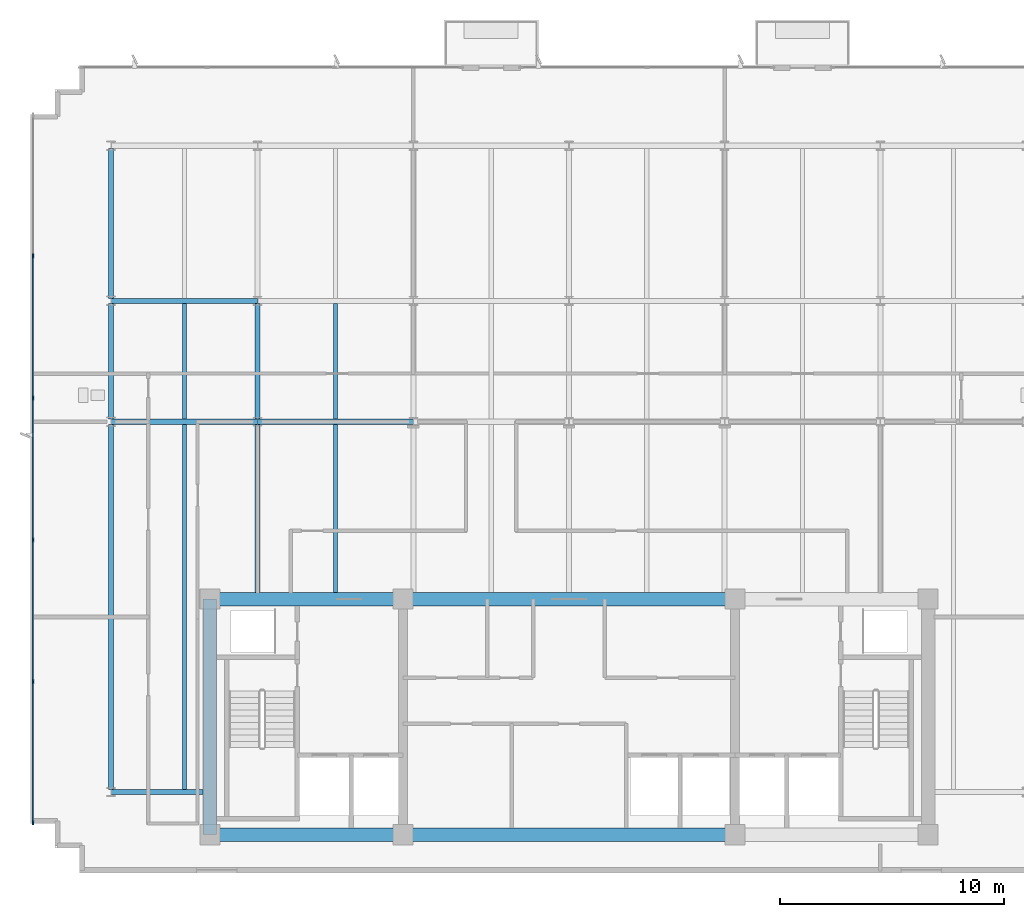
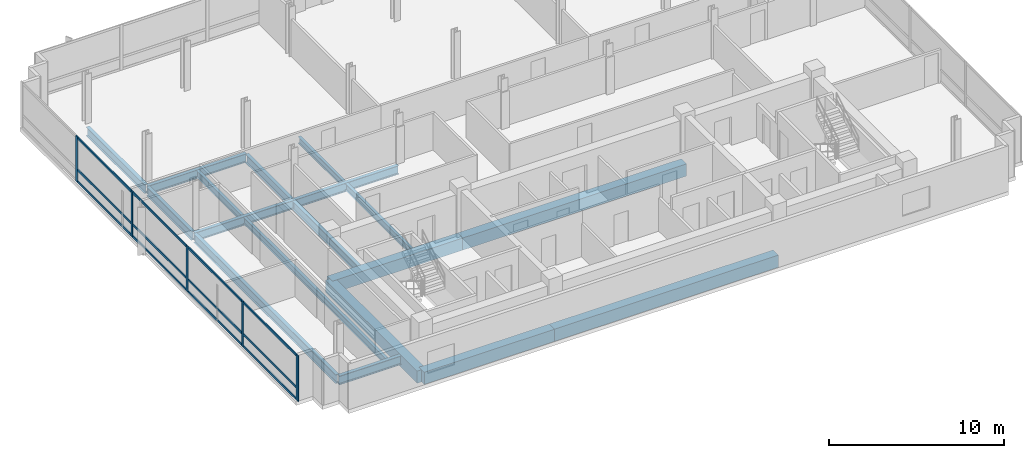
# One storey, part 2 of 13: 18 beams, 17 members, 1 element without a shape of its own.
"""IFC4 building model written with IfcOpenShell, lengths in metres."""

from ifc_helpers import new_model, si_unit, direction, frame, origin, origin_2d, place, context, subcontext, project, spatial, rectangle, i_section, extrude, material, material_profile, profile_set, type_object, element, aggregate, save


model = new_model("IFC4")

# Units and contexts
model_context = context("Model", 3, precision=1e-05, world=origin(), true_north=direction((0.0, 1.0)))
body_context = subcontext(model_context, "Body", "Model", "MODEL_VIEW")
ifc_project = project(units=[si_unit("LENGTHUNIT", "METRE"), si_unit("AREAUNIT", "SQUARE_METRE"), si_unit("VOLUMEUNIT", "CUBIC_METRE"), si_unit("PLANEANGLEUNIT", "RADIAN"), si_unit("MASSUNIT", "GRAM", prefix="KILO")], contexts=[model_context])

# Site, building, storey
site_placement = place(None, origin())
site = spatial("IfcSite", under=ifc_project, at=site_placement, CompositionType="ELEMENT")
building_placement = place(site_placement, origin())
building = spatial("IfcBuilding", under=site, at=building_placement, Name="Solmavex Isthmus Hotel", CompositionType="ELEMENT")
storey_placement = place(building_placement, frame((0.0, 0.0, 279.89990234375)))
storey = spatial("IfcBuildingStorey", under=building, at=storey_placement, Name="L76", CompositionType="ELEMENT", Elevation=279.89990234375)

# Beams
ifc_material_1 = material(Name="Steel ASTM A992 Grade 50", Category="steel")
ifc_material_profile_1 = material_profile(ifc_material_1, i_section(OverallWidth=0.1904296875, OverallDepth=0.456787109375, WebThickness=0.009033203125, FlangeThickness=0.014404296875, FilletRadius=0.0126953125, at=origin_2d()), Name="W18X50")
ifc_profile_set_1 = profile_set([ifc_material_profile_1], Name="Steel ASTM A992 Grade 50")
beam_type_1 = type_object("IfcBeamType", Name="BM-BJ-W18X50", PredefinedType="JOIST", material=ifc_profile_set_1)
beam_1_placement = place(storey_placement, frame((-17.135986328125, -10.98486328125, -0.48828125), z_axis=(0.0, 1.0, 0.0), x_axis=(-1.0, 0.0, 0.0)))
element("IfcBeam", 1, at=beam_1_placement, inside=storey, type_object=beam_type_1, Name="Secondary Floor Joist L76-J01", PredefinedType="JOIST", context=body_context, shape_type="SweptSolid", body=[
    extrude(i_section(OverallWidth=0.1904296875, OverallDepth=0.456787109375, WebThickness=0.009033203125, FlangeThickness=0.014404296875, FilletRadius=0.0126953125, at=origin_2d()), origin(), (0.0, 0.0, 1.0), 16.27099609375),
])
beam_2_placement = place(storey_placement, frame((-17.135986328125, 5.513916015625, -0.48828125), z_axis=(0.0, 1.0, 0.0), x_axis=(-1.0, 0.0, 0.0)))
element("IfcBeam", 2, at=beam_2_placement, inside=storey, type_object=beam_type_1, Name="Secondary Floor Joist L76-J02", PredefinedType="JOIST", context=body_context, shape_type="SweptSolid", body=[
    extrude(i_section(OverallWidth=0.1904296875, OverallDepth=0.456787109375, WebThickness=0.009033203125, FlangeThickness=0.014404296875, FilletRadius=0.0126953125, at=origin_2d()), origin(), (0.0, 0.0, 1.0), 5.16015625),
])
beam_3_placement = place(storey_placement, frame((-10.404052734375, -2.199951171875, -0.48828125), z_axis=(0.0, 1.0, 0.0), x_axis=(-1.0, 0.0, 0.0)))
element("IfcBeam", 3, at=beam_3_placement, inside=storey, type_object=beam_type_1, Name="Secondary Floor Joist L76-J04", PredefinedType="JOIST", context=body_context, shape_type="SweptSolid", body=[
    extrude(i_section(OverallWidth=0.1904296875, OverallDepth=0.456787109375, WebThickness=0.009033203125, FlangeThickness=0.014404296875, FilletRadius=0.0126953125, at=origin_2d()), origin(), (0.0, 0.0, 1.0), 7.486083984375),
])
beam_4_placement = place(storey_placement, frame((-10.404052734375, 5.513916015625, -0.48828125), z_axis=(0.0, 1.0, 0.0), x_axis=(-1.0, 0.0, 0.0)))
element("IfcBeam", 4, at=beam_4_placement, inside=storey, type_object=beam_type_1, Name="Secondary Floor Joist L76-J05", PredefinedType="JOIST", context=body_context, shape_type="SweptSolid", body=[
    extrude(i_section(OverallWidth=0.1904296875, OverallDepth=0.456787109375, WebThickness=0.009033203125, FlangeThickness=0.014404296875, FilletRadius=0.0126953125, at=origin_2d()), origin(), (0.0, 0.0, 1.0), 5.16015625),
])
ifc_material_profile_2 = material_profile(ifc_material_1, i_section(OverallWidth=0.227783203125, OverallDepth=0.602783203125, WebThickness=0.010498046875, FlangeThickness=0.014892578125, FilletRadius=0.01513671875, at=origin_2d()), Name="W24X68")
ifc_profile_set_2 = profile_set([ifc_material_profile_2], Name="Steel ASTM A992 Grade 50")
beam_type_2 = type_object("IfcBeamType", Name="BM-BM-W24X68", PredefinedType="BEAM", material=ifc_profile_set_2)
beam_5_placement = place(storey_placement, frame((-20.39990234375, 5.39990234375, -0.561279296875), z_axis=(1.0, 0.0, 0.0), x_axis=(0.0, 1.0, 0.0)))
element("IfcBeam", 5, at=beam_5_placement, inside=storey, type_object=beam_type_2, Name="Floor Girder L76-UG03", PredefinedType="BEAM", context=body_context, shape_type="SweptSolid", body=[
    extrude(i_section(OverallWidth=0.227783203125, OverallDepth=0.602783203125, WebThickness=0.010498046875, FlangeThickness=0.014892578125, FilletRadius=0.01513671875, at=origin_2d()), origin(), (0.0, 0.0, 1.0), 6.52783203125),
])
beam_6_placement = place(storey_placement, frame((-13.8720703125, 5.39990234375, -0.561279296875), z_axis=(1.0, 0.0, 0.0), x_axis=(0.0, 1.0, 0.0)))
element("IfcBeam", 6, at=beam_6_placement, inside=storey, type_object=beam_type_2, Name="Floor Girder L76-UG04", PredefinedType="BEAM", context=body_context, shape_type="SweptSolid", body=[
    extrude(i_section(OverallWidth=0.227783203125, OverallDepth=0.602783203125, WebThickness=0.010498046875, FlangeThickness=0.014892578125, FilletRadius=0.01513671875, at=origin_2d()), origin(), (0.0, 0.0, 1.0), 6.93603515625),
])
beam_7_placement = place(storey_placement, frame((-20.39990234375, 10.7880859375, -0.561279296875), z_axis=(1.0, 0.0, 0.0), x_axis=(0.0, 1.0, 0.0)))
element("IfcBeam", 7, at=beam_7_placement, inside=storey, type_object=beam_type_2, Name="Floor Girder L76-UG09", PredefinedType="BEAM", context=body_context, shape_type="SweptSolid", body=[
    extrude(i_section(OverallWidth=0.227783203125, OverallDepth=0.602783203125, WebThickness=0.010498046875, FlangeThickness=0.014892578125, FilletRadius=0.01513671875, at=origin_2d()), origin(), (0.0, 0.0, 1.0), 6.52783203125),
])
beam_8_placement = place(storey_placement, frame((-13.8720703125, -2.199951171875, -0.561279296875), z_axis=(0.0, 1.0, 0.0), x_axis=(-1.0, 0.0, 0.0)))
element("IfcBeam", 8, at=beam_8_placement, inside=storey, type_object=beam_type_2, Name="Floor Beam L76-VG24", PredefinedType="BEAM", context=body_context, shape_type="SweptSolid", body=[
    extrude(i_section(OverallWidth=0.227783203125, OverallDepth=0.602783203125, WebThickness=0.010498046875, FlangeThickness=0.014892578125, FilletRadius=0.01513671875, at=origin_2d()), origin(), (0.0, 0.0, 1.0), 7.486083984375),
])
beam_9_placement = place(storey_placement, frame((-13.8720703125, 5.513916015625, -0.561279296875), z_axis=(0.0, 1.0, 0.0), x_axis=(-1.0, 0.0, 0.0)))
element("IfcBeam", 9, at=beam_9_placement, inside=storey, type_object=beam_type_2, Name="Floor Beam L76-VG25", PredefinedType="BEAM", context=body_context, shape_type="SweptSolid", body=[
    extrude(i_section(OverallWidth=0.227783203125, OverallDepth=0.602783203125, WebThickness=0.010498046875, FlangeThickness=0.014892578125, FilletRadius=0.01513671875, at=origin_2d()), origin(), (0.0, 0.0, 1.0), 5.16015625),
])
ifc_material_2 = material(Name="Concrete C50/60", Category="concrete")
ifc_material_profile_3 = material_profile(ifc_material_2, rectangle(XDim=0.60009765625, YDim=0.85009765625, at=origin_2d()), Name="RC600X850")
ifc_profile_set_3 = profile_set([ifc_material_profile_3], Name="Concrete C50/60")
beam_type_3 = type_object("IfcBeamType", Name="BM-CB-600X850", PredefinedType="BEAM", material=ifc_profile_set_3)
beam_10_placement = place(storey_placement, frame((-16.0, -13.0, -0.684814453125), z_axis=(1.0, 0.0, 0.0), x_axis=(0.0, 1.0, 0.0)))
element("IfcBeam", 10, at=beam_10_placement, inside=storey, type_object=beam_type_3, Name="Core Coupling Beam L76-CB1", PredefinedType="BEAM", context=body_context, shape_type="SweptSolid", body=[
    extrude(rectangle(XDim=0.60009765625, YDim=0.85009765625, at=origin_2d()), origin(), (0.0, 0.0, 1.0), 8.60009765625),
])
beam_11_placement = place(storey_placement, frame((-7.39990234375, -13.0, -0.684814453125), z_axis=(1.0, 0.0, 0.0), x_axis=(0.0, 1.0, 0.0)))
element("IfcBeam", 11, at=beam_11_placement, inside=storey, type_object=beam_type_3, Name="Core Coupling Beam L76-CB2", PredefinedType="BEAM", context=body_context, shape_type="SweptSolid", body=[
    extrude(rectangle(XDim=0.60009765625, YDim=0.85009765625, at=origin_2d()), origin(), (0.0, 0.0, 1.0), 14.7998046875),
])
beam_12_placement = place(storey_placement, frame((-16.0, -2.5, -0.684814453125), z_axis=(1.0, 0.0, 0.0), x_axis=(0.0, 1.0, 0.0)))
element("IfcBeam", 12, at=beam_12_placement, inside=storey, type_object=beam_type_3, Name="Core Coupling Beam L76-CB4", PredefinedType="BEAM", context=body_context, shape_type="SweptSolid", body=[
    extrude(rectangle(XDim=0.60009765625, YDim=0.85009765625, at=origin_2d()), origin(), (0.0, 0.0, 1.0), 8.60009765625),
])
beam_13_placement = place(storey_placement, frame((-7.39990234375, -2.5, -0.684814453125), z_axis=(1.0, 0.0, 0.0), x_axis=(0.0, 1.0, 0.0)))
element("IfcBeam", 13, at=beam_13_placement, inside=storey, type_object=beam_type_3, Name="Core Coupling Beam L76-CB5", PredefinedType="BEAM", context=body_context, shape_type="SweptSolid", body=[
    extrude(rectangle(XDim=0.60009765625, YDim=0.85009765625, at=origin_2d()), origin(), (0.0, 0.0, 1.0), 14.7998046875),
])
beam_14_placement = place(storey_placement, frame((-16.0, -13.0, -0.684814453125), z_axis=(0.0, 1.0, 0.0), x_axis=(-1.0, 0.0, 0.0)))
element("IfcBeam", 14, at=beam_14_placement, inside=storey, type_object=beam_type_3, Name="Core Coupling Beam L76-CB7", PredefinedType="BEAM", context=body_context, shape_type="SweptSolid", body=[
    extrude(rectangle(XDim=0.60009765625, YDim=0.85009765625, at=origin_2d()), origin(), (0.0, 0.0, 1.0), 10.5),
])
ifc_material_profile_4 = material_profile(ifc_material_1, i_section(OverallWidth=0.230224609375, OverallDepth=0.617431640625, WebThickness=0.01318359375, FlangeThickness=0.022216796875, FilletRadius=0.01513671875, at=origin_2d()), Name="W24X94")
ifc_profile_set_4 = profile_set([ifc_material_profile_4], Name="Steel ASTM A992 Grade 50")
beam_type_4 = type_object("IfcBeamType", Name="BM-SP-W24X94", PredefinedType="SPANDREL", material=ifc_profile_set_4)
beam_15_placement = place(storey_placement, frame((-20.39990234375, -11.10009765625, -0.568603515625), z_axis=(1.0, 0.0, 0.0), x_axis=(0.0, 1.0, 0.0)))
element("IfcBeam", 15, at=beam_15_placement, inside=storey, type_object=beam_type_4, Name="Floor Girder L76-UG01", PredefinedType="SPANDREL", context=body_context, shape_type="SweptSolid", body=[
    extrude(i_section(OverallWidth=0.230224609375, OverallDepth=0.617431640625, WebThickness=0.01318359375, FlangeThickness=0.022216796875, FilletRadius=0.01513671875, at=origin_2d()), origin(), (0.0, 0.0, 1.0), 4.099853515625),
])
beam_16_placement = place(storey_placement, frame((-20.39990234375, -10.98486328125, -0.568603515625), z_axis=(0.0, 1.0, 0.0), x_axis=(-1.0, 0.0, 0.0)))
element("IfcBeam", 16, at=beam_16_placement, inside=storey, type_object=beam_type_4, Name="Floor Beam L76-VG21", PredefinedType="SPANDREL", context=body_context, shape_type="SweptSolid", body=[
    extrude(i_section(OverallWidth=0.230224609375, OverallDepth=0.617431640625, WebThickness=0.01318359375, FlangeThickness=0.022216796875, FilletRadius=0.01513671875, at=origin_2d()), origin(), (0.0, 0.0, 1.0), 16.27099609375),
])
beam_17_placement = place(storey_placement, frame((-20.39990234375, 5.513916015625, -0.568603515625), z_axis=(0.0, 1.0, 0.0), x_axis=(-1.0, 0.0, 0.0)))
element("IfcBeam", 17, at=beam_17_placement, inside=storey, type_object=beam_type_4, Name="Floor Beam L76-VG22", PredefinedType="SPANDREL", context=body_context, shape_type="SweptSolid", body=[
    extrude(i_section(OverallWidth=0.230224609375, OverallDepth=0.617431640625, WebThickness=0.01318359375, FlangeThickness=0.022216796875, FilletRadius=0.01513671875, at=origin_2d()), origin(), (0.0, 0.0, 1.0), 5.16015625),
])
beam_18_placement = place(storey_placement, frame((-20.39990234375, 10.90185546875, -0.568603515625), z_axis=(0.0, 1.0, 0.0), x_axis=(-1.0, 0.0, 0.0)))
element("IfcBeam", 18, at=beam_18_placement, inside=storey, type_object=beam_type_4, Name="Floor Beam L76-VG23", PredefinedType="SPANDREL", context=body_context, shape_type="SweptSolid", body=[
    extrude(i_section(OverallWidth=0.230224609375, OverallDepth=0.617431640625, WebThickness=0.01318359375, FlangeThickness=0.022216796875, FilletRadius=0.01513671875, at=origin_2d()), origin(), (0.0, 0.0, 1.0), 6.682861328125),
])

# Curtain wall, members
ifc_material_3 = material(Name="Aluminium alloy 6063-T6", Category="aluminium")
curtain_wall_type = type_object("IfcCurtainWallType", Name="CW-SYS-04", PredefinedType="NOTDEFINED", material=ifc_material_3)
curtain_wall_placement = place(storey_placement, origin())
curtain_wall = element("IfcCurtainWall", 19, at=curtain_wall_placement, inside=storey, type_object=curtain_wall_type, Name="Stick Curtain Wall CWL-L76-W1", PredefinedType="NOTDEFINED")
ifc_material_profile_5 = material_profile(ifc_material_3, rectangle(XDim=0.074951171875, YDim=0.199951171875, at=origin_2d()), Name="CWM-75X200")
ifc_profile_set_5 = profile_set([ifc_material_profile_5], Name="Aluminium alloy 6063-T6")
member_type_1 = type_object("IfcMemberType", Name="CW-SYS-04-MUL", PredefinedType="MULLION", material=ifc_profile_set_5)
member_1_placement = place(storey_placement, frame((-23.8798828125, -12.46240234375, 0.0), z_axis=(0.0, 0.0, 1.0), x_axis=(-1.0, 0.0, 0.0)))
member_1 = element("IfcMember", 20, at=member_1_placement, type_object=member_type_1, Name="CW-04 mullion 1", PredefinedType="MULLION", context=body_context, shape_type="SweptSolid", body=[
    extrude(rectangle(XDim=0.074951171875, YDim=0.199951171875, at=origin_2d()), origin(), (0.0, 0.0, 1.0), 3.190185546875),
])
member_2_placement = place(storey_placement, frame((-23.8798828125, -6.179931640625, 0.0), z_axis=(0.0, 0.0, 1.0), x_axis=(-1.0, 0.0, 0.0)))
member_2 = element("IfcMember", 21, at=member_2_placement, type_object=member_type_1, Name="CW-04 mullion 2", PredefinedType="MULLION", context=body_context, shape_type="SweptSolid", body=[
    extrude(rectangle(XDim=0.074951171875, YDim=0.199951171875, at=origin_2d()), origin(), (0.0, 0.0, 1.0), 3.190185546875),
])
member_3_placement = place(storey_placement, frame((-23.8798828125, 0.139892578125, 0.0), z_axis=(0.0, 0.0, 1.0), x_axis=(-1.0, 0.0, 0.0)))
member_3 = element("IfcMember", 22, at=member_3_placement, type_object=member_type_1, Name="CW-04 mullion 3", PredefinedType="MULLION", context=body_context, shape_type="SweptSolid", body=[
    extrude(rectangle(XDim=0.074951171875, YDim=0.199951171875, at=origin_2d()), origin(), (0.0, 0.0, 1.0), 3.190185546875),
])
member_4_placement = place(storey_placement, frame((-23.8798828125, 6.4599609375, 0.0), z_axis=(0.0, 0.0, 1.0), x_axis=(-1.0, 0.0, 0.0)))
member_4 = element("IfcMember", 23, at=member_4_placement, type_object=member_type_1, Name="CW-04 mullion 4", PredefinedType="MULLION", context=body_context, shape_type="SweptSolid", body=[
    extrude(rectangle(XDim=0.074951171875, YDim=0.199951171875, at=origin_2d()), origin(), (0.0, 0.0, 1.0), 3.190185546875),
])
member_5_placement = place(storey_placement, frame((-23.8798828125, 12.780029296875, 0.0), z_axis=(0.0, 0.0, 1.0), x_axis=(-1.0, 0.0, 0.0)))
member_5 = element("IfcMember", 24, at=member_5_placement, type_object=member_type_1, Name="CW-04 mullion 5", PredefinedType="MULLION", context=body_context, shape_type="SweptSolid", body=[
    extrude(rectangle(XDim=0.074951171875, YDim=0.199951171875, at=origin_2d()), origin(), (0.0, 0.0, 1.0), 3.190185546875),
])
ifc_material_profile_6 = material_profile(ifc_material_3, rectangle(XDim=0.074951171875, YDim=0.14990234375, at=origin_2d()), Name="CWT-75X150")
ifc_profile_set_6 = profile_set([ifc_material_profile_6], Name="Aluminium alloy 6063-T6")
member_type_2 = type_object("IfcMemberType", Name="CW-SYS-04-TRN", PredefinedType="USERDEFINED", material=ifc_profile_set_6)
member_6_placement = place(storey_placement, frame((-23.8798828125, -12.425048828125, 0.0751953125), z_axis=(0.0, 1.0, 0.0), x_axis=(-1.0, 0.0, 0.0)))
member_6 = element("IfcMember", 25, at=member_6_placement, type_object=member_type_2, Name="CW-04 transom 1.1", ObjectType="TRANSOM", PredefinedType="USERDEFINED", context=body_context, shape_type="SweptSolid", body=[
    extrude(rectangle(XDim=0.074951171875, YDim=0.14990234375, at=origin_2d()), origin(), (0.0, 0.0, 1.0), 6.20751953125),
])
member_7_placement = place(storey_placement, frame((-23.8798828125, -12.425048828125, 0.900146484375), z_axis=(0.0, 1.0, 0.0), x_axis=(-1.0, 0.0, 0.0)))
member_7 = element("IfcMember", 26, at=member_7_placement, type_object=member_type_2, Name="CW-04 transom 1.2", ObjectType="TRANSOM", PredefinedType="USERDEFINED", context=body_context, shape_type="SweptSolid", body=[
    extrude(rectangle(XDim=0.074951171875, YDim=0.14990234375, at=origin_2d()), origin(), (0.0, 0.0, 1.0), 6.20751953125),
])
member_8_placement = place(storey_placement, frame((-23.8798828125, -12.425048828125, 3.114990234375), z_axis=(0.0, 1.0, 0.0), x_axis=(-1.0, 0.0, 0.0)))
member_8 = element("IfcMember", 27, at=member_8_placement, type_object=member_type_2, Name="CW-04 transom 1.3", ObjectType="TRANSOM", PredefinedType="USERDEFINED", context=body_context, shape_type="SweptSolid", body=[
    extrude(rectangle(XDim=0.074951171875, YDim=0.14990234375, at=origin_2d()), origin(), (0.0, 0.0, 1.0), 6.20751953125),
])
member_9_placement = place(storey_placement, frame((-23.8798828125, -6.142578125, 0.0751953125), z_axis=(0.0, 1.0, 0.0), x_axis=(-1.0, 0.0, 0.0)))
member_9 = element("IfcMember", 28, at=member_9_placement, type_object=member_type_2, Name="CW-04 transom 2.1", ObjectType="TRANSOM", PredefinedType="USERDEFINED", context=body_context, shape_type="SweptSolid", body=[
    extrude(rectangle(XDim=0.074951171875, YDim=0.14990234375, at=origin_2d()), origin(), (0.0, 0.0, 1.0), 6.2451171875),
])
member_10_placement = place(storey_placement, frame((-23.8798828125, -6.142578125, 0.900146484375), z_axis=(0.0, 1.0, 0.0), x_axis=(-1.0, 0.0, 0.0)))
member_10 = element("IfcMember", 29, at=member_10_placement, type_object=member_type_2, Name="CW-04 transom 2.2", ObjectType="TRANSOM", PredefinedType="USERDEFINED", context=body_context, shape_type="SweptSolid", body=[
    extrude(rectangle(XDim=0.074951171875, YDim=0.14990234375, at=origin_2d()), origin(), (0.0, 0.0, 1.0), 6.2451171875),
])
member_11_placement = place(storey_placement, frame((-23.8798828125, -6.142578125, 3.114990234375), z_axis=(0.0, 1.0, 0.0), x_axis=(-1.0, 0.0, 0.0)))
member_11 = element("IfcMember", 30, at=member_11_placement, type_object=member_type_2, Name="CW-04 transom 2.3", ObjectType="TRANSOM", PredefinedType="USERDEFINED", context=body_context, shape_type="SweptSolid", body=[
    extrude(rectangle(XDim=0.074951171875, YDim=0.14990234375, at=origin_2d()), origin(), (0.0, 0.0, 1.0), 6.2451171875),
])
member_12_placement = place(storey_placement, frame((-23.8798828125, 0.177490234375, 0.0751953125), z_axis=(0.0, 1.0, 0.0), x_axis=(-1.0, 0.0, 0.0)))
member_12 = element("IfcMember", 31, at=member_12_placement, type_object=member_type_2, Name="CW-04 transom 3.1", ObjectType="TRANSOM", PredefinedType="USERDEFINED", context=body_context, shape_type="SweptSolid", body=[
    extrude(rectangle(XDim=0.074951171875, YDim=0.14990234375, at=origin_2d()), origin(), (0.0, 0.0, 1.0), 6.2451171875),
])
member_13_placement = place(storey_placement, frame((-23.8798828125, 0.177490234375, 0.900146484375), z_axis=(0.0, 1.0, 0.0), x_axis=(-1.0, 0.0, 0.0)))
member_13 = element("IfcMember", 32, at=member_13_placement, type_object=member_type_2, Name="CW-04 transom 3.2", ObjectType="TRANSOM", PredefinedType="USERDEFINED", context=body_context, shape_type="SweptSolid", body=[
    extrude(rectangle(XDim=0.074951171875, YDim=0.14990234375, at=origin_2d()), origin(), (0.0, 0.0, 1.0), 6.2451171875),
])
member_14_placement = place(storey_placement, frame((-23.8798828125, 0.177490234375, 3.114990234375), z_axis=(0.0, 1.0, 0.0), x_axis=(-1.0, 0.0, 0.0)))
member_14 = element("IfcMember", 33, at=member_14_placement, type_object=member_type_2, Name="CW-04 transom 3.3", ObjectType="TRANSOM", PredefinedType="USERDEFINED", context=body_context, shape_type="SweptSolid", body=[
    extrude(rectangle(XDim=0.074951171875, YDim=0.14990234375, at=origin_2d()), origin(), (0.0, 0.0, 1.0), 6.2451171875),
])
member_15_placement = place(storey_placement, frame((-23.8798828125, 6.49755859375, 0.0751953125), z_axis=(0.0, 1.0, 0.0), x_axis=(-1.0, 0.0, 0.0)))
member_15 = element("IfcMember", 34, at=member_15_placement, type_object=member_type_2, Name="CW-04 transom 4.1", ObjectType="TRANSOM", PredefinedType="USERDEFINED", context=body_context, shape_type="SweptSolid", body=[
    extrude(rectangle(XDim=0.074951171875, YDim=0.14990234375, at=origin_2d()), origin(), (0.0, 0.0, 1.0), 6.244873046875),
])
member_16_placement = place(storey_placement, frame((-23.8798828125, 6.49755859375, 0.900146484375), z_axis=(0.0, 1.0, 0.0), x_axis=(-1.0, 0.0, 0.0)))
member_16 = element("IfcMember", 35, at=member_16_placement, type_object=member_type_2, Name="CW-04 transom 4.2", ObjectType="TRANSOM", PredefinedType="USERDEFINED", context=body_context, shape_type="SweptSolid", body=[
    extrude(rectangle(XDim=0.074951171875, YDim=0.14990234375, at=origin_2d()), origin(), (0.0, 0.0, 1.0), 6.244873046875),
])
member_17_placement = place(storey_placement, frame((-23.8798828125, 6.49755859375, 3.114990234375), z_axis=(0.0, 1.0, 0.0), x_axis=(-1.0, 0.0, 0.0)))
member_17 = element("IfcMember", 36, at=member_17_placement, type_object=member_type_2, Name="CW-04 transom 4.3", ObjectType="TRANSOM", PredefinedType="USERDEFINED", context=body_context, shape_type="SweptSolid", body=[
    extrude(rectangle(XDim=0.074951171875, YDim=0.14990234375, at=origin_2d()), origin(), (0.0, 0.0, 1.0), 6.244873046875),
])
aggregate(curtain_wall, [member_1, member_2, member_3, member_4, member_5, member_6, member_7, member_8, member_9, member_10, member_11, member_12, member_13, member_14, member_15, member_16, member_17])

save(model, "model.ifc")
